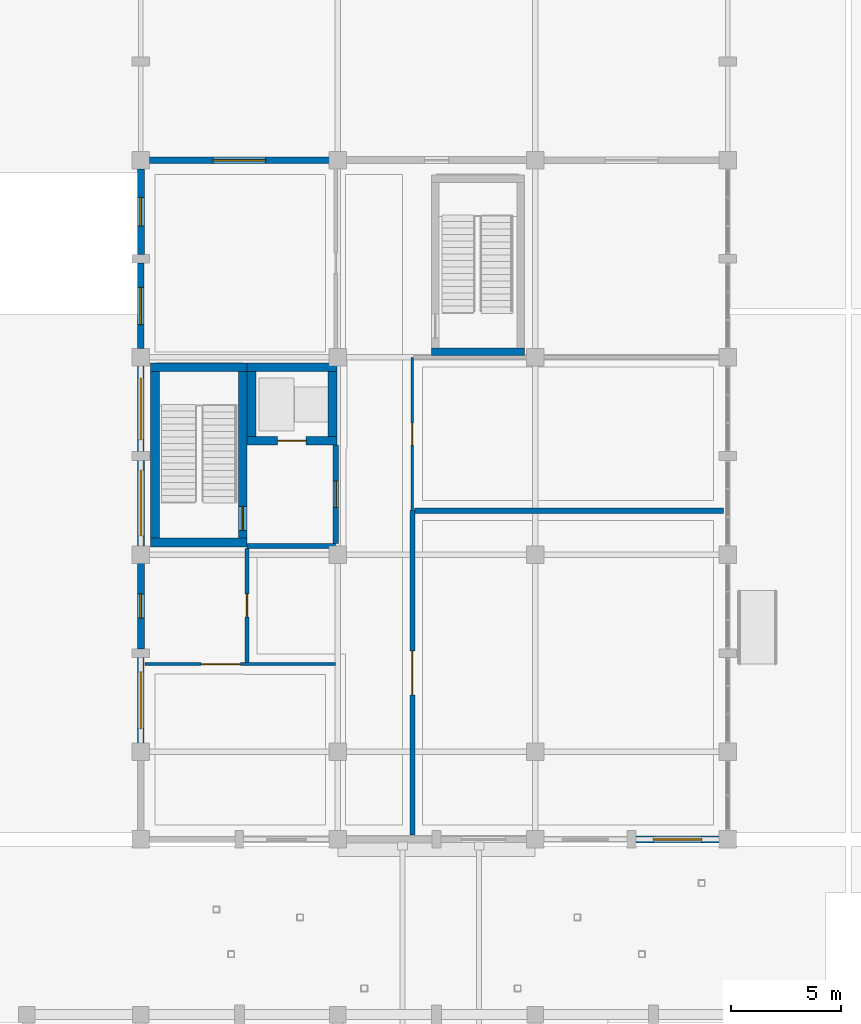
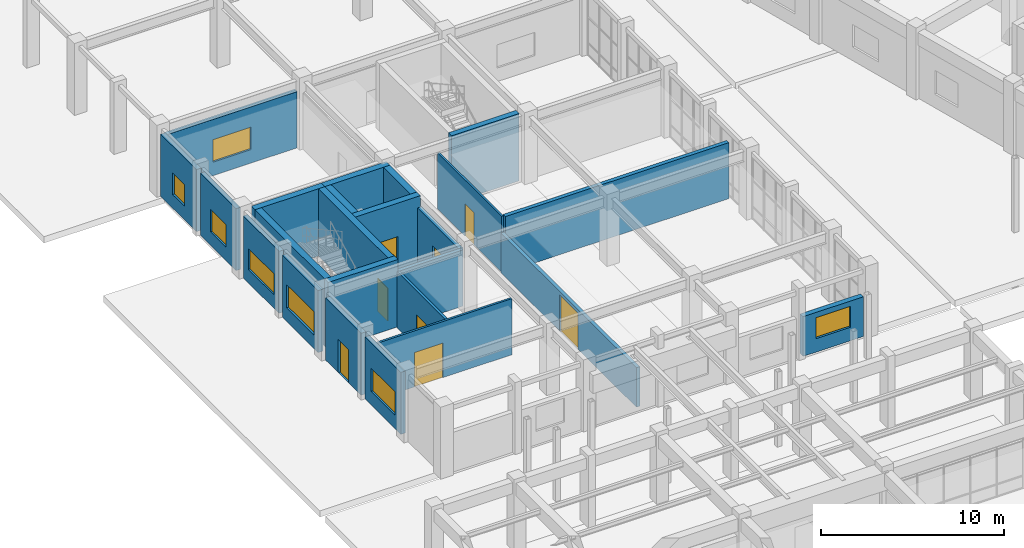
# One storey, part 34 of 47: 24 walls, 8 doors, 7 windows, 15 openings.
"""IFC4 building model written with IfcOpenShell, lengths in metres."""

from ifc_helpers import new_model, si_unit, direction, frame, frame_2d, origin, place, context, subcontext, project, spatial, rectangle, extrude, material, layer, layer_set, type_object, element, fill, save


model = new_model("IFC4")

# Units and contexts
model_context = context("Model", 3, precision=1e-05, world=origin(), true_north=direction((0.0, 1.0)))
body_context = subcontext(model_context, "Body", "Model", "MODEL_VIEW")
ifc_project = project(units=[si_unit("LENGTHUNIT", "METRE"), si_unit("AREAUNIT", "SQUARE_METRE"), si_unit("VOLUMEUNIT", "CUBIC_METRE"), si_unit("PLANEANGLEUNIT", "RADIAN"), si_unit("MASSUNIT", "GRAM", prefix="KILO")], contexts=[model_context])

# Site, building, storey
site_placement = place(None, origin())
site = spatial("IfcSite", under=ifc_project, at=site_placement, CompositionType="ELEMENT")
building_placement = place(site_placement, origin())
building = spatial("IfcBuilding", under=site, at=building_placement, Name="Ventoquebrada Cableway Terminal", CompositionType="ELEMENT")
storey_placement = place(building_placement, origin())
storey = spatial("IfcBuildingStorey", under=building, at=storey_placement, Name="L00", CompositionType="ELEMENT", Elevation=0.0)

# Wall
ifc_material_1 = material(Name="Concrete C40/50", Category="concrete")
ifc_layer_1 = layer(ifc_material_1, 0.39990234375)
ifc_layer_set_1 = layer_set([ifc_layer_1], Name="Concrete C40/50")
wall_type_1 = type_object("IfcWallType", Name="WL-CR1", PredefinedType="SHEAR", material=ifc_layer_set_1)
wall_1_placement = place(storey_placement, frame((8.64990234375, 77.550048828125, 0.0), z_axis=(0.0, 0.0, 1.0), x_axis=(1.0, 0.0, 0.0)))
element("IfcWall", 1, at=wall_1_placement, inside=storey, type_object=wall_type_1, Name="Core shear wall IW-0049", PredefinedType="SHEAR", context=body_context, shape_type="SweptSolid", body=[
    extrude(rectangle(XDim=4.400146484375, YDim=0.39990234375, at=frame_2d((2.2001953125, 0.0))), origin(), (0.0, 0.0, 1.0), 4.489990234375),
])

# Wall, opening, door
wall_2_placement = place(storey_placement, frame((12.85009765625, 77.75, 0.0), z_axis=(0.0, 0.0, 1.0), x_axis=(0.0, 1.0, 0.0)))
wall_2 = element("IfcWall", 2, at=wall_2_placement, inside=storey, type_object=wall_type_1, Name="Core shear wall IW-0050", PredefinedType="SHEAR", context=body_context, shape_type="SweptSolid", body=[
    extrude(rectangle(XDim=7.60009765625, YDim=0.39990234375, at=frame_2d((3.800048828125, 0.0))), origin(), (0.0, 0.0, 1.0), 4.489990234375),
])
opening_1_placement = place(wall_2_placement, frame((0.35009765625, 0.0, 0.0)))
opening_1 = element("IfcOpeningElement", 3, at=opening_1_placement, cuts=wall_2, Name="Opening D-006", PredefinedType="OPENING", context=body_context, shape_type="SweptSolid", body=[
    extrude(rectangle(XDim=1.10009765625, YDim=2.199951171875, at=frame_2d((0.550048828125, 1.10009765625))), frame((0.0, 0.2099609375, 0.0), z_axis=(0.0, -1.0, 0.0), x_axis=(1.0, 0.0, 0.0)), (0.0, 0.0, 1.0), 0.419921875),
])
ifc_material_2 = material(Name="Galvanized fire-rated steel door assembly", Category="steel")
door_type_1 = type_object("IfcDoorType", Name="DT-IN05", OperationType="SINGLE_SWING_LEFT", PredefinedType="DOOR", material=ifc_material_2)
door_1_placement = place(opening_1_placement, origin())
door_1 = element("IfcDoor", 4, at=door_1_placement, inside=storey, type_object=door_type_1, Name="Core K3-S stair fire door D-006", OperationType="SINGLE_SWING_LEFT", OverallHeight=2.199951171875, OverallWidth=1.10009765625, PredefinedType="DOOR", context=body_context, shape_type="SweptSolid", body=[
    extrude(rectangle(XDim=1.10009765625, YDim=2.199951171875, at=frame_2d((0.550048828125, 1.10009765625))), frame((0.0, 0.02490234375, 0.0), z_axis=(0.0, -1.0, 0.0), x_axis=(1.0, 0.0, 0.0)), (0.0, 0.0, 1.0), 0.050048828125),
])
fill(opening_1, door_1)

# Walls
wall_3_placement = place(storey_placement, frame((13.050048828125, 85.550048828125, 0.0), z_axis=(0.0, 0.0, 1.0), x_axis=(-1.0, 0.0, 0.0)))
element("IfcWall", 5, at=wall_3_placement, inside=storey, type_object=wall_type_1, Name="Core shear wall IW-0051", PredefinedType="SHEAR", context=body_context, shape_type="SweptSolid", body=[
    extrude(rectangle(XDim=4.400146484375, YDim=0.39990234375, at=frame_2d((2.2001953125, 0.0))), origin(), (0.0, 0.0, 1.0), 4.489990234375),
])
wall_4_placement = place(storey_placement, frame((8.85009765625, 85.35009765625, 0.0), z_axis=(0.0, 0.0, 1.0), x_axis=(0.0, -1.0, 0.0)))
element("IfcWall", 6, at=wall_4_placement, inside=storey, type_object=wall_type_1, Name="Core shear wall IW-0052", PredefinedType="SHEAR", context=body_context, shape_type="SweptSolid", body=[
    extrude(rectangle(XDim=7.60009765625, YDim=0.39990234375, at=frame_2d((3.800048828125, 0.0))), origin(), (0.0, 0.0, 1.0), 4.489990234375),
])

# Wall, opening, door
wall_5_placement = place(storey_placement, frame((13.050048828125, 82.199951171875, 0.0), z_axis=(0.0, 0.0, 1.0), x_axis=(1.0, 0.0, 0.0)))
wall_5 = element("IfcWall", 7, at=wall_5_placement, inside=storey, type_object=wall_type_1, Name="Core shear wall IW-0053", PredefinedType="SHEAR", context=body_context, shape_type="SweptSolid", body=[
    extrude(rectangle(XDim=4.099853515625, YDim=0.39990234375, at=frame_2d((2.0498046875, 0.0))), origin(), (0.0, 0.0, 1.0), 4.489990234375),
])
opening_2_placement = place(wall_5_placement, frame((1.39990234375, 0.0, 0.0)))
opening_2 = element("IfcOpeningElement", 8, at=opening_2_placement, cuts=wall_5, Name="Opening LD-006", PredefinedType="OPENING", context=body_context, shape_type="SweptSolid", body=[
    extrude(rectangle(XDim=1.300048828125, YDim=2.25, at=frame_2d((0.64990234375, 1.125))), frame((0.0, 0.2099609375, 0.0), z_axis=(0.0, -1.0, 0.0), x_axis=(1.0, 0.0, 0.0)), (0.0, 0.0, 1.0), 0.419921875),
])
ifc_material_3 = material(Name="Brushed stainless steel Grade 316", Category="steel")
door_type_2 = type_object("IfcDoorType", Name="DT-LD02", OperationType="SLIDING_TO_RIGHT", PredefinedType="DOOR", material=ifc_material_3)
door_2_placement = place(opening_2_placement, origin())
door_2 = element("IfcDoor", 9, at=door_2_placement, inside=storey, type_object=door_type_2, Name="Lift landing sliding door LD-006", OperationType="SLIDING_TO_LEFT", OverallHeight=2.25, OverallWidth=1.300048828125, PredefinedType="DOOR", context=body_context, shape_type="SweptSolid", body=[
    extrude(rectangle(XDim=1.300048828125, YDim=2.25, at=frame_2d((0.64990234375, 1.125))), frame((0.0, 0.02490234375, 0.0), z_axis=(0.0, -1.0, 0.0), x_axis=(1.0, 0.0, 0.0)), (0.0, 0.0, 1.0), 0.050048828125),
])
fill(opening_2, door_2)

# Walls
wall_6_placement = place(storey_placement, frame((16.949951171875, 82.39990234375, 0.0), z_axis=(0.0, 0.0, 1.0), x_axis=(0.0, 1.0, 0.0)))
element("IfcWall", 10, at=wall_6_placement, inside=storey, type_object=wall_type_1, Name="Core shear wall IW-0054", PredefinedType="SHEAR", context=body_context, shape_type="SweptSolid", body=[
    extrude(rectangle(XDim=2.9501953125, YDim=0.39990234375, at=frame_2d((1.47509765625, 0.0))), origin(), (0.0, 0.0, 1.0), 4.489990234375),
])
wall_7_placement = place(storey_placement, frame((17.14990234375, 85.550048828125, 0.0), z_axis=(0.0, 0.0, 1.0), x_axis=(-1.0, 0.0, 0.0)))
element("IfcWall", 11, at=wall_7_placement, inside=storey, type_object=wall_type_1, Name="Core shear wall IW-0055", PredefinedType="SHEAR", context=body_context, shape_type="SweptSolid", body=[
    extrude(rectangle(XDim=4.099853515625, YDim=0.39990234375, at=frame_2d((2.0498046875, 0.0))), origin(), (0.0, 0.0, 1.0), 4.489990234375),
])
wall_8_placement = place(storey_placement, frame((13.25, 85.35009765625, 0.0), z_axis=(0.0, 0.0, 1.0), x_axis=(0.0, -1.0, 0.0)))
element("IfcWall", 12, at=wall_8_placement, inside=storey, type_object=wall_type_1, Name="Core shear wall IW-0056", PredefinedType="SHEAR", context=body_context, shape_type="SweptSolid", body=[
    extrude(rectangle(XDim=2.9501953125, YDim=0.39990234375, at=frame_2d((1.47509765625, 0.0))), origin(), (0.0, 0.0, 1.0), 4.489990234375),
])

# Wall, opening, window
ifc_material_4 = material(Name="Precast architectural concrete C40/50", Category="concrete")
ifc_layer_2 = layer(ifc_material_4, 0.280029296875)
ifc_layer_set_2 = layer_set([ifc_layer_2], Name="Precast architectural concrete C40/50")
wall_type_2 = type_object("IfcWallType", Name="WL-EX1", PredefinedType="SOLIDWALL", material=ifc_layer_set_2)
wall_9_placement = place(storey_placement, frame((16.804931640625, 95.0, 0.0), z_axis=(0.0, 0.0, 1.0), x_axis=(-1.0, 0.0, 0.0)))
wall_9 = element("IfcWall", 13, at=wall_9_placement, inside=storey, type_object=wall_type_2, Name="Exterior architectural wall EW-0133", PredefinedType="SOLIDWALL", context=body_context, shape_type="SweptSolid", body=[
    extrude(rectangle(XDim=8.2099609375, YDim=0.280029296875, at=frame_2d((4.10498046875, 0.0))), origin(), (0.0, 0.0, 1.0), 3.7470703125),
])
opening_3_placement = place(wall_9_placement, frame((2.905029296875, 0.0, 0.89990234375)))
opening_3 = element("IfcOpeningElement", 14, at=opening_3_placement, cuts=wall_9, Name="Opening WN-050", PredefinedType="OPENING", context=body_context, shape_type="SweptSolid", body=[
    extrude(rectangle(XDim=2.39990234375, YDim=1.5, at=frame_2d((1.199951171875, 0.75))), frame((0.0, 0.14990234375, 0.0), z_axis=(0.0, -1.0, 0.0), x_axis=(1.0, 0.0, 0.0)), (0.0, 0.0, 1.0), 0.300048828125),
])
ifc_material_5 = material(Name="Double low-e laminated safety glazing", Category="glass")
window_type_1 = type_object("IfcWindowType", Name="WT-10", PartitioningType="SINGLE_PANEL", PredefinedType="WINDOW", material=ifc_material_5)
window_1_placement = place(opening_3_placement, origin())
window_1 = element("IfcWindow", 15, at=window_1_placement, inside=storey, type_object=window_type_1, Name="Architectural punched window WN-050", OverallHeight=1.5, OverallWidth=2.39990234375, PartitioningType="SINGLE_PANEL", PredefinedType="WINDOW", context=body_context, shape_type="SweptSolid", body=[
    extrude(rectangle(XDim=2.39990234375, YDim=1.5, at=frame_2d((1.199951171875, 0.75))), frame((0.0, 0.030029296875, 0.0), z_axis=(0.0, -1.0, 0.0), x_axis=(1.0, 0.0, 0.0)), (0.0, 0.0, 1.0), 0.06005859375),
])
fill(opening_3, window_1)

wall_10_placement = place(storey_placement, frame((8.199951171875, 72.304931640625, 0.0), z_axis=(0.0, 0.0, 1.0), x_axis=(0.0, -1.0, 0.0)))
wall_10 = element("IfcWall", 16, at=wall_10_placement, inside=storey, type_object=wall_type_2, Name="Exterior architectural wall EW-0138", PredefinedType="SOLIDWALL", context=body_context, shape_type="SweptSolid", body=[
    extrude(rectangle(XDim=3.909912109375, YDim=0.280029296875, at=frame_2d((1.955078125, 0.0))), origin(), (0.0, 0.0, 1.0), 4.135009765625),
])
opening_4_placement = place(wall_10_placement, frame((0.655029296875, 0.0, 0.89990234375)))
opening_4 = element("IfcOpeningElement", 17, at=opening_4_placement, cuts=wall_10, Name="Opening WN-052", PredefinedType="OPENING", context=body_context, shape_type="SweptSolid", body=[
    extrude(rectangle(XDim=2.60009765625, YDim=1.550048828125, at=frame_2d((1.300048828125, 0.77490234375))), frame((0.0, 0.14990234375, 0.0), z_axis=(0.0, -1.0, 0.0), x_axis=(1.0, 0.0, 0.0)), (0.0, 0.0, 1.0), 0.300048828125),
])
window_type_2 = type_object("IfcWindowType", Name="WT-12", PartitioningType="SINGLE_PANEL", PredefinedType="WINDOW", material=ifc_material_5)
window_2_placement = place(opening_4_placement, origin())
window_2 = element("IfcWindow", 18, at=window_2_placement, inside=storey, type_object=window_type_2, Name="Architectural punched window WN-052", OverallHeight=1.550048828125, OverallWidth=2.60009765625, PartitioningType="SINGLE_PANEL", PredefinedType="WINDOW", context=body_context, shape_type="SweptSolid", body=[
    extrude(rectangle(XDim=2.60009765625, YDim=1.550048828125, at=frame_2d((1.300048828125, 0.77490234375))), frame((0.0, 0.030029296875, 0.0), z_axis=(0.0, -1.0, 0.0), x_axis=(1.0, 0.0, 0.0)), (0.0, 0.0, 1.0), 0.06005859375),
])
fill(opening_4, window_2)

wall_11_placement = place(storey_placement, frame((8.199951171875, 85.60498046875, 0.0), z_axis=(0.0, 0.0, 1.0), x_axis=(0.0, -1.0, 0.0)))
wall_11 = element("IfcWall", 19, at=wall_11_placement, inside=storey, type_object=wall_type_2, Name="Exterior architectural wall EW-0139", PredefinedType="SOLIDWALL", context=body_context, shape_type="SweptSolid", body=[
    extrude(rectangle(XDim=3.909912109375, YDim=0.280029296875, at=frame_2d((1.955078125, 0.0))), origin(), (0.0, 0.0, 1.0), 4.135009765625),
])
opening_5_placement = place(wall_11_placement, frame((0.554931640625, 0.0, 0.89990234375)))
opening_5 = element("IfcOpeningElement", 20, at=opening_5_placement, cuts=wall_11, Name="Opening WN-053", PredefinedType="OPENING", context=body_context, shape_type="SweptSolid", body=[
    extrude(rectangle(XDim=2.800048828125, YDim=1.39990234375, at=frame_2d((1.39990234375, 0.699951171875))), frame((0.0, 0.14990234375, 0.0), z_axis=(0.0, -1.0, 0.0), x_axis=(1.0, 0.0, 0.0)), (0.0, 0.0, 1.0), 0.300048828125),
])
window_type_3 = type_object("IfcWindowType", Name="WT-13", PartitioningType="SINGLE_PANEL", PredefinedType="WINDOW", material=ifc_material_5)
window_3_placement = place(opening_5_placement, origin())
window_3 = element("IfcWindow", 21, at=window_3_placement, inside=storey, type_object=window_type_3, Name="Architectural punched window WN-053", OverallHeight=1.39990234375, OverallWidth=2.800048828125, PartitioningType="SINGLE_PANEL", PredefinedType="WINDOW", context=body_context, shape_type="SweptSolid", body=[
    extrude(rectangle(XDim=2.800048828125, YDim=1.39990234375, at=frame_2d((1.39990234375, 0.699951171875))), frame((0.0, 0.030029296875, 0.0), z_axis=(0.0, -1.0, 0.0), x_axis=(1.0, 0.0, 0.0)), (0.0, 0.0, 1.0), 0.06005859375),
])
fill(opening_5, window_3)

wall_12_placement = place(storey_placement, frame((8.199951171875, 90.304931640625, 0.0), z_axis=(0.0, 0.0, 1.0), x_axis=(0.0, -1.0, 0.0)))
wall_12 = element("IfcWall", 22, at=wall_12_placement, inside=storey, type_object=wall_type_2, Name="Exterior architectural wall EW-0142", PredefinedType="SOLIDWALL", context=body_context, shape_type="SweptSolid", body=[
    extrude(rectangle(XDim=3.909912109375, YDim=0.280029296875, at=frame_2d((1.955078125, 0.0))), origin(), (0.0, 0.0, 1.0), 4.135009765625),
])
opening_6_placement = place(wall_12_placement, frame((1.10498046875, 0.0, 0.89990234375)))
opening_6 = element("IfcOpeningElement", 23, at=opening_6_placement, cuts=wall_12, Name="Opening WN-056", PredefinedType="OPENING", context=body_context, shape_type="SweptSolid", body=[
    extrude(rectangle(XDim=1.699951171875, YDim=1.5, at=frame_2d((0.85009765625, 0.75))), frame((0.0, 0.14990234375, 0.0), z_axis=(0.0, -1.0, 0.0), x_axis=(1.0, 0.0, 0.0)), (0.0, 0.0, 1.0), 0.300048828125),
])
window_type_4 = type_object("IfcWindowType", Name="WT-16", PartitioningType="SINGLE_PANEL", PredefinedType="WINDOW", material=ifc_material_5)
window_4_placement = place(opening_6_placement, origin())
window_4 = element("IfcWindow", 24, at=window_4_placement, inside=storey, type_object=window_type_4, Name="Architectural punched window WN-056", OverallHeight=1.5, OverallWidth=1.699951171875, PartitioningType="SINGLE_PANEL", PredefinedType="WINDOW", context=body_context, shape_type="SweptSolid", body=[
    extrude(rectangle(XDim=1.699951171875, YDim=1.5, at=frame_2d((0.85009765625, 0.75))), frame((0.0, 0.030029296875, 0.0), z_axis=(0.0, -1.0, 0.0), x_axis=(1.0, 0.0, 0.0)), (0.0, 0.0, 1.0), 0.06005859375),
])
fill(opening_6, window_4)

ifc_layer_3 = layer(ifc_material_4, 0.320068359375)
ifc_layer_set_3 = layer_set([ifc_layer_3], Name="Precast architectural concrete C40/50")
wall_type_3 = type_object("IfcWallType", Name="WL-EX2", PredefinedType="SOLIDWALL", material=ifc_layer_set_3)
wall_13_placement = place(storey_placement, frame((30.794921875, 64.0, 0.0), z_axis=(0.0, 0.0, 1.0), x_axis=(1.0, 0.0, 0.0)))
wall_13 = element("IfcWall", 25, at=wall_13_placement, inside=storey, type_object=wall_type_3, Name="Exterior architectural wall EW-0132", PredefinedType="SOLIDWALL", context=body_context, shape_type="SweptSolid", body=[
    extrude(rectangle(XDim=3.81005859375, YDim=0.320068359375, at=frame_2d((1.905029296875, 0.0))), origin(), (0.0, 0.0, 1.0), 2.64794921875),
])
opening_7_placement = place(wall_13_placement, frame((0.804931640625, 0.0, 0.89990234375)))
opening_7 = element("IfcOpeningElement", 26, at=opening_7_placement, cuts=wall_13, Name="Opening WN-049", PredefinedType="OPENING", context=body_context, shape_type="SweptSolid", body=[
    extrude(rectangle(XDim=2.199951171875, YDim=1.39990234375, at=frame_2d((1.10009765625, 0.699951171875))), frame((0.0, 0.169921875, 0.0), z_axis=(0.0, -1.0, 0.0), x_axis=(1.0, 0.0, 0.0)), (0.0, 0.0, 1.0), 0.340087890625),
])
window_type_5 = type_object("IfcWindowType", Name="WT-09", PartitioningType="SINGLE_PANEL", PredefinedType="WINDOW", material=ifc_material_5)
window_5_placement = place(opening_7_placement, origin())
window_5 = element("IfcWindow", 27, at=window_5_placement, inside=storey, type_object=window_type_5, Name="Architectural punched window WN-049", OverallHeight=1.39990234375, OverallWidth=2.199951171875, PartitioningType="SINGLE_PANEL", PredefinedType="WINDOW", context=body_context, shape_type="SweptSolid", body=[
    extrude(rectangle(XDim=2.199951171875, YDim=1.39990234375, at=frame_2d((1.10009765625, 0.699951171875))), frame((0.0, 0.030029296875, 0.0), z_axis=(0.0, -1.0, 0.0), x_axis=(1.0, 0.0, 0.0)), (0.0, 0.0, 1.0), 0.06005859375),
])
fill(opening_7, window_5)

# Wall, opening, door
wall_14_placement = place(storey_placement, frame((8.199951171875, 76.60498046875, 0.0), z_axis=(0.0, 0.0, 1.0), x_axis=(0.0, -1.0, 0.0)))
wall_14 = element("IfcWall", 28, at=wall_14_placement, inside=storey, type_object=wall_type_3, Name="Exterior architectural wall EW-0137", PredefinedType="SOLIDWALL", context=body_context, shape_type="SweptSolid", body=[
    extrude(rectangle(XDim=3.909912109375, YDim=0.320068359375, at=frame_2d((1.955078125, 0.0))), origin(), (0.0, 0.0, 1.0), 4.135009765625),
])
opening_8_placement = place(wall_14_placement, frame((1.405029296875, 0.0, 0.0)))
opening_8 = element("IfcOpeningElement", 29, at=opening_8_placement, cuts=wall_14, Name="Opening D-EX-10", PredefinedType="OPENING", context=body_context, shape_type="SweptSolid", body=[
    extrude(rectangle(XDim=1.10009765625, YDim=2.199951171875, at=frame_2d((0.550048828125, 1.10009765625))), frame((0.0, 0.169921875, 0.0), z_axis=(0.0, -1.0, 0.0), x_axis=(1.0, 0.0, 0.0)), (0.0, 0.0, 1.0), 0.340087890625),
])
ifc_material_6 = material(Name="Galvanized acoustic steel door assembly", Category="steel")
door_type_3 = type_object("IfcDoorType", Name="DT-EX04", OperationType="SINGLE_SWING_LEFT", PredefinedType="DOOR", material=ifc_material_6)
door_3_placement = place(opening_8_placement, origin())
door_3 = element("IfcDoor", 30, at=door_3_placement, inside=storey, type_object=door_type_3, Name="Exterior d-ex door D-EX-10", OperationType="SINGLE_SWING_LEFT", OverallHeight=2.199951171875, OverallWidth=1.10009765625, PredefinedType="DOOR", context=body_context, shape_type="SweptSolid", body=[
    extrude(rectangle(XDim=1.10009765625, YDim=2.199951171875, at=frame_2d((0.550048828125, 1.10009765625))), frame((0.0, 0.02490234375, 0.0), z_axis=(0.0, -1.0, 0.0), x_axis=(1.0, 0.0, 0.0)), (0.0, 0.0, 1.0), 0.050048828125),
])
fill(opening_8, door_3)

# Wall, opening, window
wall_15_placement = place(storey_placement, frame((8.199951171875, 81.304931640625, 0.0), z_axis=(0.0, 0.0, 1.0), x_axis=(0.0, -1.0, 0.0)))
wall_15 = element("IfcWall", 31, at=wall_15_placement, inside=storey, type_object=wall_type_3, Name="Exterior architectural wall EW-0140", PredefinedType="SOLIDWALL", context=body_context, shape_type="SweptSolid", body=[
    extrude(rectangle(XDim=3.909912109375, YDim=0.320068359375, at=frame_2d((1.955078125, 0.0))), origin(), (0.0, 0.0, 1.0), 4.135009765625),
])
opening_9_placement = place(wall_15_placement, frame((0.455078125, 0.0, 0.89990234375)))
opening_9 = element("IfcOpeningElement", 32, at=opening_9_placement, cuts=wall_15, Name="Opening WN-054", PredefinedType="OPENING", context=body_context, shape_type="SweptSolid", body=[
    extrude(rectangle(XDim=3.0, YDim=1.550048828125, at=frame_2d((1.5, 0.77490234375))), frame((0.0, 0.169921875, 0.0), z_axis=(0.0, -1.0, 0.0), x_axis=(1.0, 0.0, 0.0)), (0.0, 0.0, 1.0), 0.340087890625),
])
window_type_6 = type_object("IfcWindowType", Name="WT-14", PartitioningType="SINGLE_PANEL", PredefinedType="WINDOW", material=ifc_material_5)
window_6_placement = place(opening_9_placement, origin())
window_6 = element("IfcWindow", 33, at=window_6_placement, inside=storey, type_object=window_type_6, Name="Architectural punched window WN-054", OverallHeight=1.550048828125, OverallWidth=3.0, PartitioningType="SINGLE_PANEL", PredefinedType="WINDOW", context=body_context, shape_type="SweptSolid", body=[
    extrude(rectangle(XDim=3.0, YDim=1.550048828125, at=frame_2d((1.5, 0.77490234375))), frame((0.0, 0.030029296875, 0.0), z_axis=(0.0, -1.0, 0.0), x_axis=(1.0, 0.0, 0.0)), (0.0, 0.0, 1.0), 0.06005859375),
])
fill(opening_9, window_6)

wall_16_placement = place(storey_placement, frame((8.199951171875, 94.60498046875, 0.0), z_axis=(0.0, 0.0, 1.0), x_axis=(0.0, -1.0, 0.0)))
wall_16 = element("IfcWall", 34, at=wall_16_placement, inside=storey, type_object=wall_type_3, Name="Exterior architectural wall EW-0141", PredefinedType="SOLIDWALL", context=body_context, shape_type="SweptSolid", body=[
    extrude(rectangle(XDim=3.909912109375, YDim=0.320068359375, at=frame_2d((1.955078125, 0.0))), origin(), (0.0, 0.0, 1.0), 4.135009765625),
])
opening_10_placement = place(wall_16_placement, frame((1.304931640625, 0.0, 0.89990234375)))
opening_10 = element("IfcOpeningElement", 35, at=opening_10_placement, cuts=wall_16, Name="Opening WN-055", PredefinedType="OPENING", context=body_context, shape_type="SweptSolid", body=[
    extrude(rectangle(XDim=1.300048828125, YDim=1.449951171875, at=frame_2d((0.64990234375, 0.72509765625))), frame((0.0, 0.169921875, 0.0), z_axis=(0.0, -1.0, 0.0), x_axis=(1.0, 0.0, 0.0)), (0.0, 0.0, 1.0), 0.340087890625),
])
window_type_7 = type_object("IfcWindowType", Name="WT-15", PartitioningType="SINGLE_PANEL", PredefinedType="WINDOW", material=ifc_material_5)
window_7_placement = place(opening_10_placement, origin())
window_7 = element("IfcWindow", 36, at=window_7_placement, inside=storey, type_object=window_type_7, Name="Architectural punched window WN-055", OverallHeight=1.449951171875, OverallWidth=1.300048828125, PartitioningType="SINGLE_PANEL", PredefinedType="WINDOW", context=body_context, shape_type="SweptSolid", body=[
    extrude(rectangle(XDim=1.300048828125, YDim=1.449951171875, at=frame_2d((0.64990234375, 0.72509765625))), frame((0.0, 0.030029296875, 0.0), z_axis=(0.0, -1.0, 0.0), x_axis=(1.0, 0.0, 0.0)), (0.0, 0.0, 1.0), 0.06005859375),
])
fill(opening_10, window_7)

# Wall, opening, door
ifc_material_7 = material(Name="Fire-rated gypsum partition board on steel framing", Category="steel")
ifc_layer_4 = layer(ifc_material_7, 0.1201171875)
ifc_layer_set_4 = layer_set([ifc_layer_4], Name="Fire-rated gypsum partition board on steel framing")
wall_type_4 = type_object("IfcWallType", Name="WL-PT1", PredefinedType="PARTITIONING", material=ifc_layer_set_4)
wall_17_placement = place(storey_placement, frame((20.60009765625, 79.0, 0.0), z_axis=(0.0, 0.0, 1.0), x_axis=(0.0, 1.0, 0.0)))
wall_17 = element("IfcWall", 37, at=wall_17_placement, inside=storey, type_object=wall_type_4, Name="Interior partition IW-0331", PredefinedType="PARTITIONING", context=body_context, shape_type="SweptSolid", body=[
    extrude(rectangle(XDim=7.0, YDim=0.1201171875, at=frame_2d((3.5, 0.0))), origin(), (0.0, 0.0, 1.0), 3.737060546875),
])
opening_11_placement = place(wall_17_placement, frame((3.0, 0.0, 0.0)))
opening_11 = element("IfcOpeningElement", 38, at=opening_11_placement, cuts=wall_17, Name="Opening D-071", PredefinedType="OPENING", context=body_context, shape_type="SweptSolid", body=[
    extrude(rectangle(XDim=1.0, YDim=2.14990234375, at=frame_2d((0.5, 1.074951171875))), frame((0.0, 0.070068359375, 0.0), z_axis=(0.0, -1.0, 0.0), x_axis=(1.0, 0.0, 0.0)), (0.0, 0.0, 1.0), 0.14013671875),
])
ifc_material_8 = material(Name="Fire-retardant oak acoustic door leaf")
door_type_4 = type_object("IfcDoorType", Name="DT-IN02", OperationType="SINGLE_SWING_RIGHT", PredefinedType="DOOR", material=ifc_material_8)
door_4_placement = place(opening_11_placement, origin())
door_4 = element("IfcDoor", 39, at=door_4_placement, inside=storey, type_object=door_type_4, Name="Cloakroom Lockers Door D-071", OperationType="SINGLE_SWING_RIGHT", OverallHeight=2.14990234375, OverallWidth=1.0, PredefinedType="DOOR", context=body_context, shape_type="SweptSolid", body=[
    extrude(rectangle(XDim=1.0, YDim=2.14990234375, at=frame_2d((0.5, 1.074951171875))), frame((0.0, 0.02490234375, 0.0), z_axis=(0.0, -1.0, 0.0), x_axis=(1.0, 0.0, 0.0)), (0.0, 0.0, 1.0), 0.050048828125),
])
fill(opening_11, door_4)

# Walls
ifc_material_9 = material(Name="Autoclaved aerated concrete blockwork", Category="masonry")
ifc_layer_5 = layer(ifc_material_9, 0.2451171875)
ifc_layer_set_5 = layer_set([ifc_layer_5], Name="Autoclaved aerated concrete blockwork")
wall_type_5 = type_object("IfcWallType", Name="WL-PT10", PredefinedType="PARTITIONING", material=ifc_layer_set_5)
wall_18_placement = place(storey_placement, frame((20.7060546875, 79.0, 0.0), z_axis=(0.0, 0.0, 1.0), x_axis=(1.0, 0.0, 0.0)))
element("IfcWall", 40, at=wall_18_placement, inside=storey, type_object=wall_type_5, Name="Interior partition IW-0330", PredefinedType="PARTITIONING", context=body_context, shape_type="SweptSolid", body=[
    extrude(rectangle(XDim=14.093994140625, YDim=0.2451171875, at=frame_2d((7.046875, 0.0))), origin(), (0.0, 0.0, 1.0), 3.737060546875),
])
ifc_layer_6 = layer(ifc_material_9, 0.22998046875)
ifc_layer_set_6 = layer_set([ifc_layer_6], Name="Autoclaved aerated concrete blockwork")
wall_type_6 = type_object("IfcWallType", Name="WL-PT5", PredefinedType="PARTITIONING", material=ifc_layer_set_6)
wall_19_placement = place(storey_placement, frame((13.050048828125, 77.39990234375, 0.0), z_axis=(0.0, 0.0, 1.0), x_axis=(1.0, 0.0, 0.0)))
element("IfcWall", 41, at=wall_19_placement, inside=storey, type_object=wall_type_6, Name="Interior partition IW-0325", PredefinedType="PARTITIONING", context=body_context, shape_type="SweptSolid", body=[
    extrude(rectangle(XDim=4.050048828125, YDim=0.22998046875, at=frame_2d((2.02490234375, 0.0))), origin(), (0.0, 0.0, 1.0), 3.737060546875),
])

# Wall, opening, door
ifc_layer_7 = layer(ifc_material_9, 0.260009765625)
ifc_layer_set_7 = layer_set([ifc_layer_7], Name="Autoclaved aerated concrete blockwork")
wall_type_7 = type_object("IfcWallType", Name="WL-PT6", PredefinedType="PARTITIONING", material=ifc_layer_set_7)
wall_20_placement = place(storey_placement, frame((17.10009765625, 77.512939453125, 0.0), z_axis=(0.0, 0.0, 1.0), x_axis=(0.0, 1.0, 0.0)))
wall_20 = element("IfcWall", 42, at=wall_20_placement, inside=storey, type_object=wall_type_7, Name="Interior partition IW-0326", PredefinedType="PARTITIONING", context=body_context, shape_type="SweptSolid", body=[
    extrude(rectangle(XDim=4.487060546875, YDim=0.260009765625, at=frame_2d((2.24365234375, 0.0))), origin(), (0.0, 0.0, 1.0), 3.737060546875),
])
opening_12_placement = place(wall_20_placement, frame((1.64306640625, 0.0, 0.0)))
opening_12 = element("IfcOpeningElement", 43, at=opening_12_placement, cuts=wall_20, Name="Opening D-067", PredefinedType="OPENING", context=body_context, shape_type="SweptSolid", body=[
    extrude(rectangle(XDim=1.199951171875, YDim=2.199951171875, at=frame_2d((0.60009765625, 1.10009765625))), frame((0.0, 0.139892578125, 0.0), z_axis=(0.0, -1.0, 0.0), x_axis=(1.0, 0.0, 0.0)), (0.0, 0.0, 1.0), 0.280029296875),
])
door_type_5 = type_object("IfcDoorType", Name="DT-IN06", OperationType="SINGLE_SWING_RIGHT", PredefinedType="DOOR", material=ifc_material_2)
door_5_placement = place(opening_12_placement, origin())
door_5 = element("IfcDoor", 44, at=door_5_placement, inside=storey, type_object=door_type_5, Name="K3 Firefighting Lobby Door D-067", OperationType="SINGLE_SWING_RIGHT", OverallHeight=2.199951171875, OverallWidth=1.199951171875, PredefinedType="DOOR", context=body_context, shape_type="SweptSolid", body=[
    extrude(rectangle(XDim=1.199951171875, YDim=2.199951171875, at=frame_2d((0.60009765625, 1.10009765625))), frame((0.0, 0.02490234375, 0.0), z_axis=(0.0, -1.0, 0.0), x_axis=(1.0, 0.0, 0.0)), (0.0, 0.0, 1.0), 0.050048828125),
])
fill(opening_12, door_5)

ifc_layer_8 = layer(ifc_material_7, 0.135009765625)
ifc_layer_set_8 = layer_set([ifc_layer_8], Name="Fire-rated gypsum partition board on steel framing")
wall_type_8 = type_object("IfcWallType", Name="WL-PT7", PredefinedType="PARTITIONING", material=ifc_layer_set_8)
wall_21_placement = place(storey_placement, frame((8.39990234375, 72.0, 0.0), z_axis=(0.0, 0.0, 1.0), x_axis=(1.0, 0.0, 0.0)))
wall_21 = element("IfcWall", 45, at=wall_21_placement, inside=storey, type_object=wall_type_8, Name="Interior partition IW-0327", PredefinedType="PARTITIONING", context=body_context, shape_type="SweptSolid", body=[
    extrude(rectangle(XDim=8.7001953125, YDim=0.135009765625, at=frame_2d((4.35009765625, 0.0))), origin(), (0.0, 0.0, 1.0), 3.737060546875),
])
opening_13_placement = place(wall_21_placement, frame((2.550048828125, 0.0, 0.0)))
opening_13 = element("IfcOpeningElement", 46, at=opening_13_placement, cuts=wall_21, Name="Opening D-068", PredefinedType="OPENING", context=body_context, shape_type="SweptSolid", body=[
    extrude(rectangle(XDim=1.800048828125, YDim=2.300048828125, at=frame_2d((0.89990234375, 1.14990234375))), frame((0.0, 0.077392578125, 0.0), z_axis=(0.0, -1.0, 0.0), x_axis=(1.0, 0.0, 0.0)), (0.0, 0.0, 1.0), 0.155029296875),
])
door_type_6 = type_object("IfcDoorType", Name="DT-IN08", OperationType="DOUBLE_SWING_RIGHT", PredefinedType="DOOR", material=ifc_material_2)
door_6_placement = place(opening_13_placement, origin())
door_6 = element("IfcDoor", 47, at=door_6_placement, inside=storey, type_object=door_type_6, Name="Espresso Cafe Entrance D-068", OperationType="DOUBLE_SWING_LEFT", OverallHeight=2.300048828125, OverallWidth=1.800048828125, PredefinedType="DOOR", context=body_context, shape_type="SweptSolid", body=[
    extrude(rectangle(XDim=1.800048828125, YDim=2.300048828125, at=frame_2d((0.89990234375, 1.14990234375))), frame((0.0, 0.02490234375, 0.0), z_axis=(0.0, -1.0, 0.0), x_axis=(1.0, 0.0, 0.0)), (0.0, 0.0, 1.0), 0.050048828125),
])
fill(opening_13, door_6)

ifc_layer_9 = layer(ifc_material_7, 0.1650390625)
ifc_layer_set_9 = layer_set([ifc_layer_9], Name="Fire-rated gypsum partition board on steel framing")
wall_type_9 = type_object("IfcWallType", Name="WL-PT8", PredefinedType="PARTITIONING", material=ifc_layer_set_9)
wall_22_placement = place(storey_placement, frame((13.050048828125, 72.06591796875, 0.0), z_axis=(0.0, 0.0, 1.0), x_axis=(0.0, 1.0, 0.0)))
wall_22 = element("IfcWall", 48, at=wall_22_placement, inside=storey, type_object=wall_type_9, Name="Interior partition IW-0328", PredefinedType="PARTITIONING", context=body_context, shape_type="SweptSolid", body=[
    extrude(rectangle(XDim=5.22119140625, YDim=0.1650390625, at=frame_2d((2.610595703125, 0.0))), origin(), (0.0, 0.0, 1.0), 3.737060546875),
])
opening_14_placement = place(wall_22_placement, frame((2.0859375, 0.0, 0.0)))
opening_14 = element("IfcOpeningElement", 49, at=opening_14_placement, cuts=wall_22, Name="Opening D-069", PredefinedType="OPENING", context=body_context, shape_type="SweptSolid", body=[
    extrude(rectangle(XDim=1.050048828125, YDim=2.14990234375, at=frame_2d((0.52490234375, 1.074951171875))), frame((0.0, 0.092529296875, 0.0), z_axis=(0.0, -1.0, 0.0), x_axis=(1.0, 0.0, 0.0)), (0.0, 0.0, 1.0), 0.18505859375),
])
door_type_7 = type_object("IfcDoorType", Name="DT-IN03", OperationType="SINGLE_SWING_LEFT", PredefinedType="DOOR", material=ifc_material_8)
door_7_placement = place(opening_14_placement, origin())
door_7 = element("IfcDoor", 50, at=door_7_placement, inside=storey, type_object=door_type_7, Name="L00 Accessible WC Door D-069", OperationType="SINGLE_SWING_RIGHT", OverallHeight=2.14990234375, OverallWidth=1.050048828125, PredefinedType="DOOR", context=body_context, shape_type="SweptSolid", body=[
    extrude(rectangle(XDim=1.050048828125, YDim=2.14990234375, at=frame_2d((0.52490234375, 1.074951171875))), frame((0.0, 0.02490234375, 0.0), z_axis=(0.0, -1.0, 0.0), x_axis=(1.0, 0.0, 0.0)), (0.0, 0.0, 1.0), 0.050048828125),
])
fill(opening_14, door_7)

ifc_layer_10 = layer(ifc_material_9, 0.215087890625)
ifc_layer_set_10 = layer_set([ifc_layer_10], Name="Autoclaved aerated concrete blockwork")
wall_type_10 = type_object("IfcWallType", Name="WL-PT9", PredefinedType="PARTITIONING", material=ifc_layer_set_10)
wall_23_placement = place(storey_placement, frame((20.60009765625, 64.199951171875, 0.0), z_axis=(0.0, 0.0, 1.0), x_axis=(0.0, 1.0, 0.0)))
wall_23 = element("IfcWall", 51, at=wall_23_placement, inside=storey, type_object=wall_type_10, Name="Interior partition IW-0329", PredefinedType="PARTITIONING", context=body_context, shape_type="SweptSolid", body=[
    extrude(rectangle(XDim=14.800048828125, YDim=0.215087890625, at=frame_2d((7.39990234375, 0.0))), origin(), (0.0, 0.0, 1.0), 2.637939453125),
])
opening_15_placement = place(wall_23_placement, frame((6.39990234375, 0.0, 0.0)))
opening_15 = element("IfcOpeningElement", 52, at=opening_15_placement, cuts=wall_23, Name="Opening D-070", PredefinedType="OPENING", context=body_context, shape_type="SweptSolid", body=[
    extrude(rectangle(XDim=2.0, YDim=2.39990234375, at=frame_2d((1.0, 1.199951171875))), frame((0.0, 0.117431640625, 0.0), z_axis=(0.0, -1.0, 0.0), x_axis=(1.0, 0.0, 0.0)), (0.0, 0.0, 1.0), 0.235107421875),
])
door_type_8 = type_object("IfcDoorType", Name="DT-IN09", OperationType="DOUBLE_DOOR_SINGLE_SWING", PredefinedType="DOOR", material=ifc_material_2)
door_8_placement = place(opening_15_placement, origin())
door_8 = element("IfcDoor", 53, at=door_8_placement, inside=storey, type_object=door_type_8, Name="Safety Exhibition Hall Door D-070", OperationType="DOUBLE_DOOR_SINGLE_SWING", OverallHeight=2.39990234375, OverallWidth=2.0, PredefinedType="DOOR", context=body_context, shape_type="SweptSolid", body=[
    extrude(rectangle(XDim=2.0, YDim=2.39990234375, at=frame_2d((1.0, 1.199951171875))), frame((0.0, 0.02490234375, 0.0), z_axis=(0.0, -1.0, 0.0), x_axis=(1.0, 0.0, 0.0)), (0.0, 0.0, 1.0), 0.050048828125),
])
fill(opening_15, door_8)

# Wall
ifc_layer_11 = layer(ifc_material_1, 0.35009765625)
ifc_layer_set_11 = layer_set([ifc_layer_11], Name="Concrete C40/50")
wall_type_11 = type_object("IfcWallType", Name="WL-SH1", PredefinedType="SHEAR", material=ifc_layer_set_11)
wall_24_placement = place(storey_placement, frame((21.47509765625, 86.25, 0.0), z_axis=(0.0, 0.0, 1.0), x_axis=(1.0, 0.0, 0.0)))
element("IfcWall", 54, at=wall_24_placement, inside=storey, type_object=wall_type_11, Name="Core shear wall IW-0209", PredefinedType="SHEAR", context=body_context, shape_type="SweptSolid", body=[
    extrude(rectangle(XDim=4.25, YDim=0.35009765625, at=frame_2d((2.125, 0.0))), origin(), (0.0, 0.0, 1.0), 4.489990234375),
])

save(model, "model.ifc")
